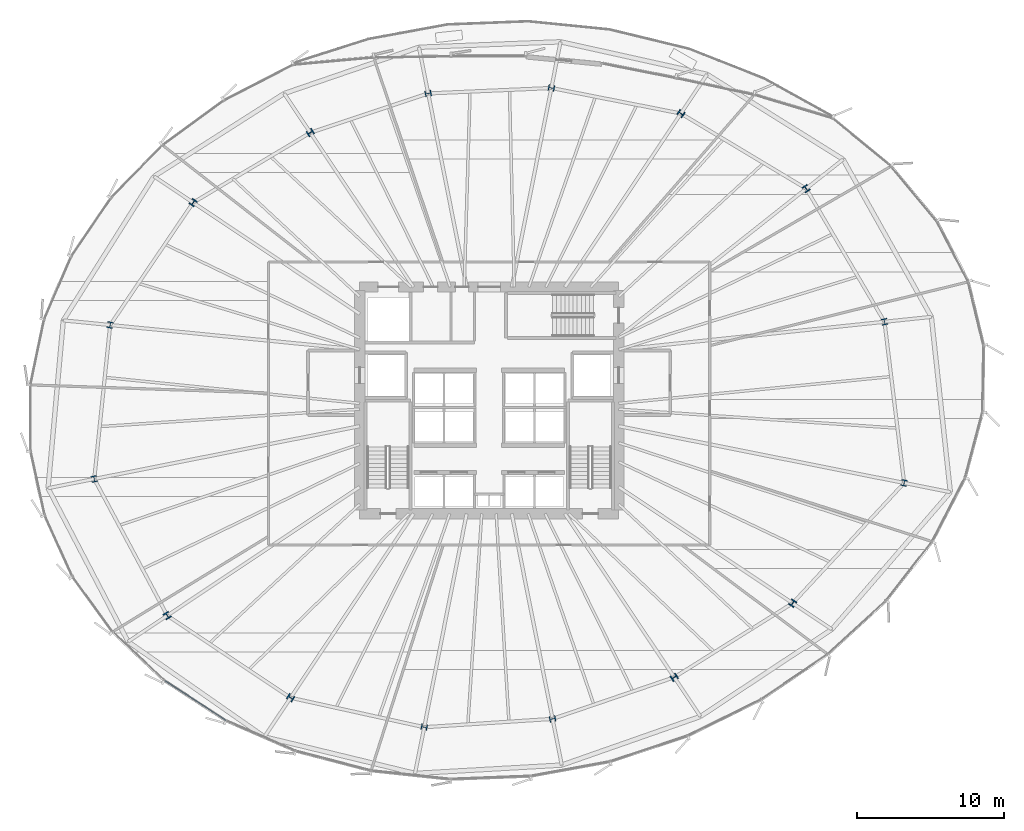
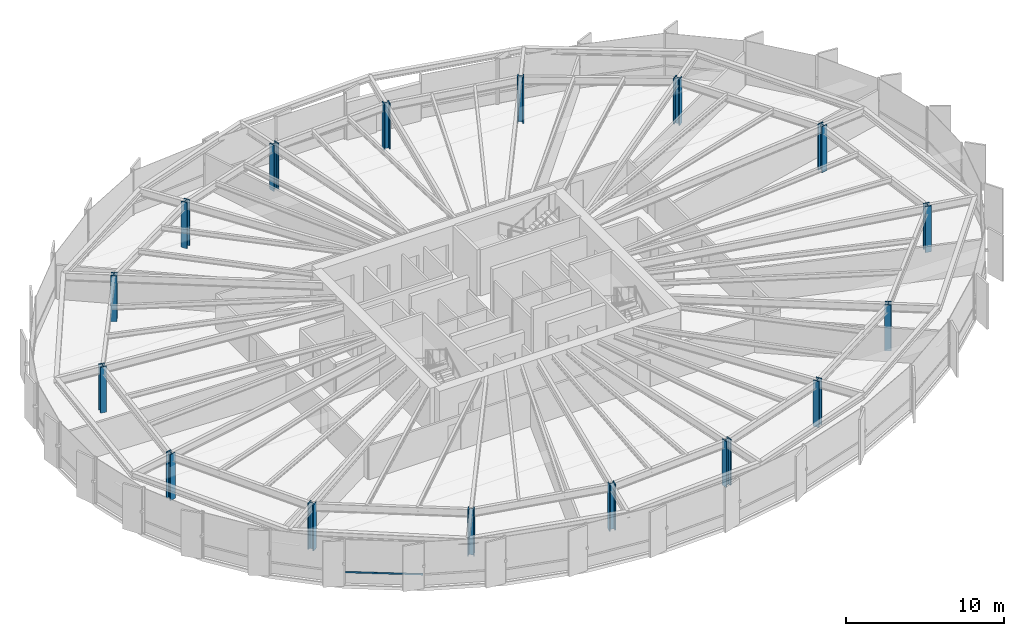
# One storey, part 1 of 37: 16 columns, 1 member, 1 element without a shape of its own.
"""IFC4 building model written with IfcOpenShell, lengths in metres."""

from ifc_helpers import new_model, si_unit, direction, frame, origin, origin_2d, place, context, subcontext, project, spatial, hollow_rectangle, i_section, extrude, source, transform, mapped, material, layer, layer_set, material_profile, profile_set, type_object, element, aggregate, save


model = new_model("IFC4")

# Units and contexts
model_context = context("Model", 3, precision=1e-05, world=origin(), true_north=direction((0.0, 1.0)))
body_context = subcontext(model_context, "Body", "Model", "MODEL_VIEW")
ifc_project = project(units=[si_unit("LENGTHUNIT", "METRE"), si_unit("AREAUNIT", "SQUARE_METRE"), si_unit("VOLUMEUNIT", "CUBIC_METRE"), si_unit("PLANEANGLEUNIT", "RADIAN"), si_unit("MASSUNIT", "GRAM", prefix="KILO"), si_unit("THERMODYNAMICTEMPERATUREUNIT", "KELVIN")], contexts=[model_context])

# Site, building, storey
site_placement = place(None, origin())
site = spatial("IfcSite", under=ifc_project, at=site_placement, CompositionType="ELEMENT")
building_placement = place(site_placement, origin())
building = spatial("IfcBuilding", under=site, at=building_placement, Name="Kethvar Cultural Tower", CompositionType="ELEMENT")
storey_placement = place(building_placement, frame((0.0, 0.0, 56.199951171875)))
storey = spatial("IfcBuildingStorey", under=building, at=storey_placement, Name="L13", CompositionType="ELEMENT", Elevation=56.199951171875)

# Columns
ifc_material_1 = material(Name="Steel S460M", Category="steel")
ifc_material_profile_1 = material_profile(ifc_material_1, i_section(OverallWidth=0.412109375, OverallDepth=0.430908203125, WebThickness=0.0419921875, FlangeThickness=0.068115234375, FilletRadius=0.014892578125, at=origin_2d()), Name="Steel S460M — HD400x900")
ifc_profile_set_1 = profile_set([ifc_material_profile_1], Name="Steel S460M — HD400x900")
column_type = type_object("IfcColumnType", Name="COL-HD900", PredefinedType="COLUMN", material=ifc_profile_set_1)
shared_shape_1 = source(origin(), body_context, "Body", "SweptSolid", [
    extrude(i_section(OverallWidth=0.412109375, OverallDepth=0.430908203125, WebThickness=0.0419921875, FlangeThickness=0.068115234375, FilletRadius=0.014892578125, at=origin_2d()), origin(), (0.0, 0.0, 1.0), 3.550048828125),
])
for number, where, z_axis, x_axis, name in (
    (1, (73.65673828125, 33.14208984375, 0.0), (0.0, 0.0, 1.0), (0.980785280403, 0.195090322016, 0.0), "L13 Mega-Column MC-01"),
    (2, (68.33642578125, 42.190185546875, 0.0), (0.0, 0.0, 1.0), (0.831469612303, 0.55557023302, 0.0), "L13 Mega-Column MC-02"),
    (3, (59.824951171875, 47.293212890625, 0.0), (0.0, 0.0, 1.0), (0.55557023302, 0.831469612303, 0.0), "L13 Mega-Column MC-03"),
    (4, (51.022216796875, 49.02587890625, 0.0), (0.0, 0.0, 1.0), (0.195090322016, 0.980785280403, 0.0), "L13 Mega-Column MC-04"),
    (5, (42.651611328125, 48.65576171875, 0.0), (0.0, 0.0, 1.0), (-0.195090322016, 0.980785280403, 0.0), "L13 Mega-Column MC-05"),
    (6, (34.64599609375, 45.98974609375, 0.0), (0.0, 0.0, 1.0), (-0.55557023302, 0.831469612303, 0.0), "L13 Mega-Column MC-06"),
    (7, (26.6845703125, 41.24072265625, 0.0), (0.0, 0.0, 1.0), (-0.831469612303, 0.55557023302, 0.0), "L13 Mega-Column MC-07"),
    (8, (21.047119140625, 32.922607421875, 0.0), (0.0, 0.0, 1.0), (-0.980785280403, 0.195090322016, 0.0), "L13 Mega-Column MC-08"),
    (9, (19.9658203125, 22.46240234375, 0.0), (0.0, 0.0, 1.0), (-0.980785280403, -0.195090322016, 0.0), "L13 Mega-Column MC-09"),
    (10, (24.9248046875, 13.183349609375, 0.0), (0.0, 0.0, 1.0), (-0.831469612303, -0.55557023302, 0.0), "L13 Mega-Column MC-10"),
    (11, (33.302001953125, 7.598876953125, 0.0), (0.0, 0.0, 1.0), (-0.55557023302, -0.831469612303, 0.0), "L13 Mega-Column MC-11"),
    (12, (42.38330078125, 5.59619140625, 0.0), (0.0, 0.0, 1.0), (-0.195090322016, -0.980785280403, 0.0), "L13 Mega-Column MC-12"),
    (13, (51.10400390625, 6.16259765625, 0.0), (0.0, 0.0, 1.0), (0.195090322016, -0.980785280403, 0.0), "L13 Mega-Column MC-13"),
    (14, (59.370361328125, 8.987060546875, 0.0), (0.0, 0.0, 1.0), (0.55557023302, -0.831469612303, 0.0), "L13 Mega-Column MC-14"),
    (15, (67.41845703125, 14.023193359375, 0.0), (0.0, 0.0, 1.0), (0.831469612303, -0.55557023302, 0.0), "L13 Mega-Column MC-15"),
    (16, (74.9912109375, 22.1923828125, 0.0), (0.0, 0.0, 1.0), (0.980785280403, -0.195090322016, 0.0), "L13 Mega-Column MC-16"),
):
    element("IfcColumn", number, at=place(storey_placement, frame(where, z_axis=z_axis, x_axis=x_axis)), inside=storey, type_object=column_type, Name=name, PredefinedType="COLUMN", context=body_context, shape_type="MappedRepresentation", body=[
        mapped(shared_shape_1, transform((0.0, 0.0, 0.0), scale=1.0)),
    ])

# Curtain wall, member
ifc_material_2 = material(Name="Aluminium 6063-T6", Category="aluminium")
ifc_layer = layer(ifc_material_2, 0.179931640625, Name="Aluminium 6063-T6", Category="aluminium")
ifc_layer_set = layer_set([ifc_layer], Name="Aluminium 6063-T6 (180 mm)")
curtain_wall_type = type_object("IfcCurtainWallType", Name="CW-SYS-02-Z1", PredefinedType="NOTDEFINED", material=ifc_layer_set)
curtain_wall_placement = place(storey_placement, origin())
curtain_wall = element("IfcCurtainWall", 17, at=curtain_wall_placement, inside=storey, type_object=curtain_wall_type, Name="L13 Curtain Wall Run 05", PredefinedType="NOTDEFINED")
ifc_material_profile_2 = material_profile(ifc_material_2, hollow_rectangle(XDim=0.054931640625, YDim=0.1201171875, WallThickness=0.00390625, at=origin_2d()), Name="Aluminium 6063-T6 — RHS120x55x4")
ifc_profile_set_2 = profile_set([ifc_material_profile_2], Name="Aluminium 6063-T6 — RHS120x55x4")
member_type = type_object("IfcMemberType", Name="CW-SYS-02-Z1-TRN", PredefinedType="USERDEFINED", material=ifc_profile_set_2)
shared_shape_2 = source(origin(), body_context, "Body", "SweptSolid", [
    extrude(hollow_rectangle(XDim=0.054931640625, YDim=0.1201171875, WallThickness=0.00390625, at=origin_2d()), origin(), (0.0, 0.0, 1.0), 4.920166015625),
])
member_placement = place(storey_placement, frame((24.77099609375, 8.754150390625, 0.949951171875), z_axis=(0.838249700749, -0.545286566124, 0.0), x_axis=(0.545286566124, 0.838249700749, 0.0)))
member = element("IfcMember", 18, at=member_placement, type_object=member_type, Name="CW-L13-R05 Transom 3", ObjectType="TRANSOM", PredefinedType="USERDEFINED", context=body_context, shape_type="MappedRepresentation", body=[
    mapped(shared_shape_2, transform((0.0, 0.0, 0.0), scale=1.0)),
])
aggregate(curtain_wall, [member])

save(model, "model.ifc")
